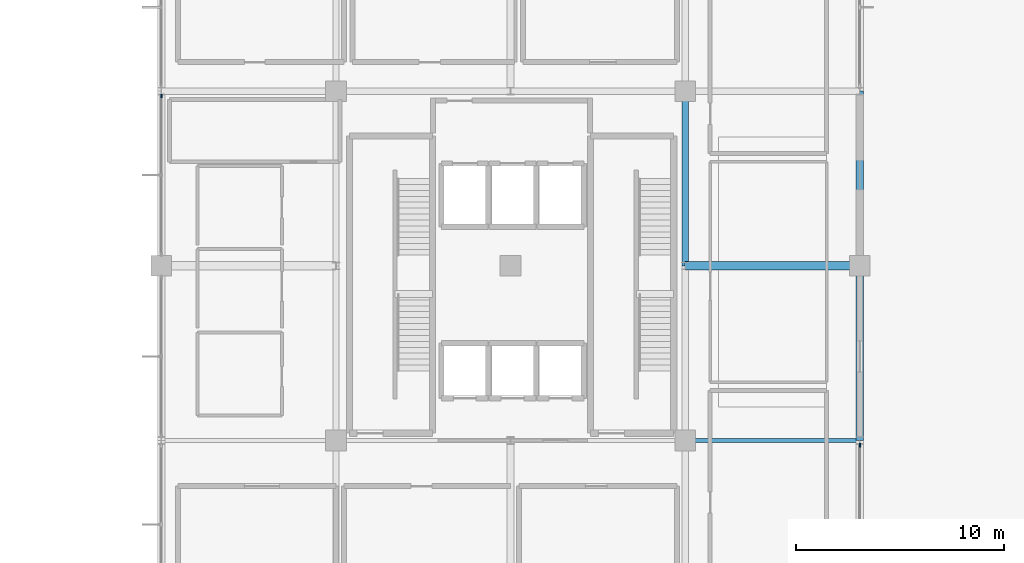
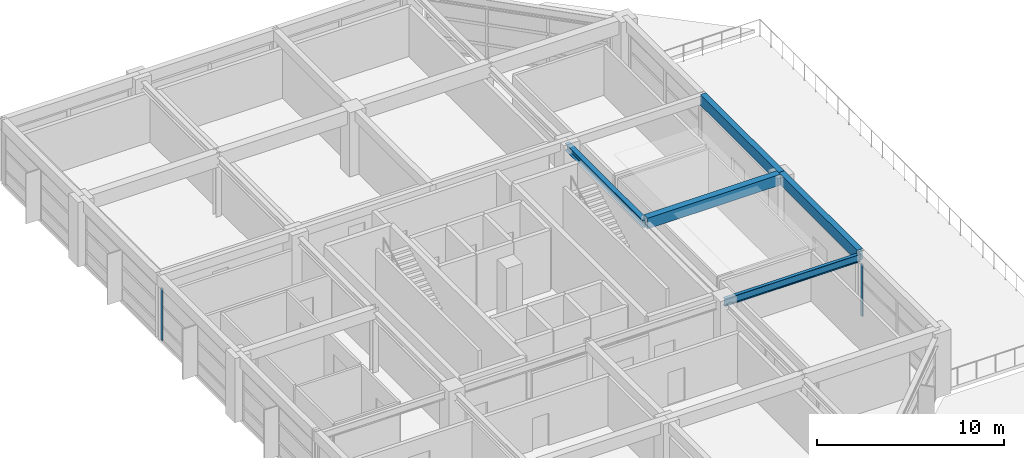
# One storey, part 9 of 21: 5 beams, 2 members, 2 elements without a shape of their own.
"""IFC4 building model written with IfcOpenShell, lengths in metres."""

from ifc_helpers import new_model, si_unit, direction, frame, origin, origin_2d, place, context, subcontext, project, spatial, rectangle, i_section, extrude, material, material_profile, profile_set, type_object, element, aggregate, save


model = new_model("IFC4")

# Units and contexts
model_context = context("Model", 3, precision=1e-05, world=origin(), true_north=direction((0.0, 1.0)))
body_context = subcontext(model_context, "Body", "Model", "MODEL_VIEW")
ifc_project = project(units=[si_unit("LENGTHUNIT", "METRE"), si_unit("AREAUNIT", "SQUARE_METRE"), si_unit("VOLUMEUNIT", "CUBIC_METRE"), si_unit("PLANEANGLEUNIT", "RADIAN"), si_unit("MASSUNIT", "GRAM", prefix="KILO")], contexts=[model_context])

# Site, building, storey
site_placement = place(None, origin())
site = spatial("IfcSite", under=ifc_project, at=site_placement, CompositionType="ELEMENT")
building_placement = place(site_placement, origin())
building = spatial("IfcBuilding", under=site, at=building_placement, Name="Xuanlan Plaza Opera House", CompositionType="ELEMENT")
storey_placement = place(building_placement, frame((0.0, 0.0, 44.699951171875)))
storey = spatial("IfcBuildingStorey", under=building, at=storey_placement, Name="L10", CompositionType="ELEMENT", Elevation=44.699951171875)

# Curtain wall, member
ifc_material_1 = material(Name="Anodised Aluminium 6063-T6 and Low-E Glass", Category="aluminium")
curtain_wall_type_1 = type_object("IfcCurtainWallType", Name="ENV-CW-CW-01", PredefinedType="USERDEFINED", material=ifc_material_1)
curtain_wall_1_placement = place(storey_placement, origin())
curtain_wall_1 = element("IfcCurtainWall", 1, at=curtain_wall_1_placement, inside=storey, type_object=curtain_wall_type_1, Name="Unitised Curtain Wall L10-005", ObjectType="UNITISED CURTAIN WALL", PredefinedType="USERDEFINED")
ifc_material_2 = material(Name="Anodised Aluminium 6063-T6", Category="aluminium")
ifc_material_profile_1 = material_profile(ifc_material_2, rectangle(XDim=0.070068359375, YDim=0.179931640625, at=origin_2d()), Name="ALU-M 70x180")
ifc_profile_set_1 = profile_set([ifc_material_profile_1], Name="Anodised Aluminium 6063-T6")
member_type = type_object("IfcMemberType", Name="ENV-CWM-02", PredefinedType="MULLION", material=ifc_profile_set_1)
member_1_placement = place(storey_placement, frame((159.60009765625, 50.169921875, 0.0), z_axis=(0.0, 0.0, 1.0), x_axis=(-1.0, 0.0, 0.0)))
member_1 = element("IfcMember", 2, at=member_1_placement, type_object=member_type, Name="CW-01 mullion 3", PredefinedType="MULLION", context=body_context, shape_type="SweptSolid", body=[
    extrude(rectangle(XDim=0.070068359375, YDim=0.179931640625, at=origin_2d()), origin(), (0.0, 0.0, 1.0), 3.380126953125),
])
aggregate(curtain_wall_1, [member_1])

curtain_wall_type_2 = type_object("IfcCurtainWallType", Name="ENV-CW-CW-03", PredefinedType="USERDEFINED", material=ifc_material_1)
curtain_wall_2_placement = place(storey_placement, origin())
curtain_wall_2 = element("IfcCurtainWall", 3, at=curtain_wall_2_placement, inside=storey, type_object=curtain_wall_type_2, Name="Unitised Curtain Wall L10-015", ObjectType="UNITISED CURTAIN WALL", PredefinedType="USERDEFINED")
member_2_placement = place(storey_placement, frame((126.0, 66.969970703125, 0.0), z_axis=(0.0, 0.0, 1.0), x_axis=(1.0, 0.0, 0.0)))
member_2 = element("IfcMember", 4, at=member_2_placement, type_object=member_type, Name="CW-03 mullion 1", PredefinedType="MULLION", context=body_context, shape_type="SweptSolid", body=[
    extrude(rectangle(XDim=0.070068359375, YDim=0.179931640625, at=origin_2d()), origin(), (0.0, 0.0, 1.0), 3.380126953125),
])
aggregate(curtain_wall_2, [member_2])

# Beams
ifc_material_3 = material(Name="Concrete C40", Category="concrete")
ifc_material_profile_2 = material_profile(ifc_material_3, rectangle(XDim=0.39990234375, YDim=0.699951171875, at=origin_2d()), Name="RC-BM 400x700")
ifc_profile_set_2 = profile_set([ifc_material_profile_2], Name="Concrete C40")
beam_type_1 = type_object("IfcBeamType", Name="STR-BM-B-07", PredefinedType="BEAM", material=ifc_profile_set_2)
beam_1_placement = place(storey_placement, frame((151.199951171875, 58.800048828125, 3.85009765625), z_axis=(1.0, 0.0, 0.0), x_axis=(0.0, 1.0, 0.0)))
element("IfcBeam", 5, at=beam_1_placement, inside=storey, type_object=beam_type_1, Name="Grid Beam X L10 19-20/H", PredefinedType="BEAM", context=body_context, shape_type="SweptSolid", body=[
    extrude(rectangle(XDim=0.39990234375, YDim=0.699951171875, at=origin_2d()), origin(), (0.0, 0.0, 1.0), 8.400146484375),
])
ifc_material_4 = material(Name="Steel Q355B", Category="steel")
ifc_material_profile_3 = material_profile(ifc_material_4, i_section(OverallWidth=0.199951171875, OverallDepth=0.5, WebThickness=0.010009765625, FlangeThickness=0.01611328125, FilletRadius=0.02001953125, at=origin_2d()), Name="HN 500x200x10x16")
ifc_profile_set_3 = profile_set([ifc_material_profile_3], Name="Steel Q355B")
beam_type_2 = type_object("IfcBeamType", Name="STR-BM-SB-05", PredefinedType="BEAM", material=ifc_profile_set_3)
beam_2_placement = place(storey_placement, frame((151.199951171875, 50.39990234375, 3.705078125), z_axis=(1.0, 0.0, 0.0), x_axis=(0.0, 1.0, 0.0)))
element("IfcBeam", 6, at=beam_2_placement, inside=storey, type_object=beam_type_2, Name="Grid Beam X L10 19-20/G", PredefinedType="BEAM", context=body_context, shape_type="SweptSolid", body=[
    extrude(i_section(OverallWidth=0.199951171875, OverallDepth=0.5, WebThickness=0.010009765625, FlangeThickness=0.01611328125, FilletRadius=0.02001953125, at=origin_2d()), origin(), (0.0, 0.0, 1.0), 8.400146484375),
])
ifc_material_profile_4 = material_profile(ifc_material_4, i_section(OverallWidth=0.300048828125, OverallDepth=0.43994140625, WebThickness=0.010986328125, FlangeThickness=0.01806640625, FilletRadius=0.02001953125, at=origin_2d()), Name="HM 440x300x11x18")
ifc_profile_set_4 = profile_set([ifc_material_profile_4], Name="Steel Q355B")
beam_type_3 = type_object("IfcBeamType", Name="STR-BM-SB-08", PredefinedType="BEAM", material=ifc_profile_set_4)
beam_3_placement = place(storey_placement, frame((151.199951171875, 58.800048828125, 3.735107421875), z_axis=(0.0, 1.0, 0.0), x_axis=(-1.0, 0.0, 0.0)))
element("IfcBeam", 7, at=beam_3_placement, inside=storey, type_object=beam_type_3, Name="Grid Beam Y L10 19/H-I", PredefinedType="BEAM", context=body_context, shape_type="SweptSolid", body=[
    extrude(i_section(OverallWidth=0.300048828125, OverallDepth=0.43994140625, WebThickness=0.010986328125, FlangeThickness=0.01806640625, FilletRadius=0.02001953125, at=origin_2d()), origin(), (0.0, 0.0, 1.0), 8.39990234375),
])
ifc_material_profile_5 = material_profile(ifc_material_3, rectangle(XDim=0.35009765625, YDim=0.699951171875, at=origin_2d()), Name="RC-SPD 350x700")
ifc_profile_set_5 = profile_set([ifc_material_profile_5], Name="Concrete C40")
beam_type_4 = type_object("IfcBeamType", Name="STR-BM-SP-02", PredefinedType="SPANDREL", material=ifc_profile_set_5)
beam_4_placement = place(storey_placement, frame((159.60009765625, 50.39990234375, 3.85009765625), z_axis=(0.0, 1.0, 0.0), x_axis=(-1.0, 0.0, 0.0)))
element("IfcBeam", 8, at=beam_4_placement, inside=storey, type_object=beam_type_4, Name="Grid Beam Y L10 20/G-H", PredefinedType="SPANDREL", context=body_context, shape_type="SweptSolid", body=[
    extrude(rectangle(XDim=0.35009765625, YDim=0.699951171875, at=origin_2d()), origin(), (0.0, 0.0, 1.0), 8.400146484375),
])
beam_5_placement = place(storey_placement, frame((159.60009765625, 58.800048828125, 3.85009765625), z_axis=(0.0, 1.0, 0.0), x_axis=(-1.0, 0.0, 0.0)))
element("IfcBeam", 9, at=beam_5_placement, inside=storey, type_object=beam_type_4, Name="Grid Beam Y L10 20/H-I", PredefinedType="SPANDREL", context=body_context, shape_type="SweptSolid", body=[
    extrude(rectangle(XDim=0.35009765625, YDim=0.699951171875, at=origin_2d()), origin(), (0.0, 0.0, 1.0), 8.39990234375),
])

save(model, "model.ifc")
